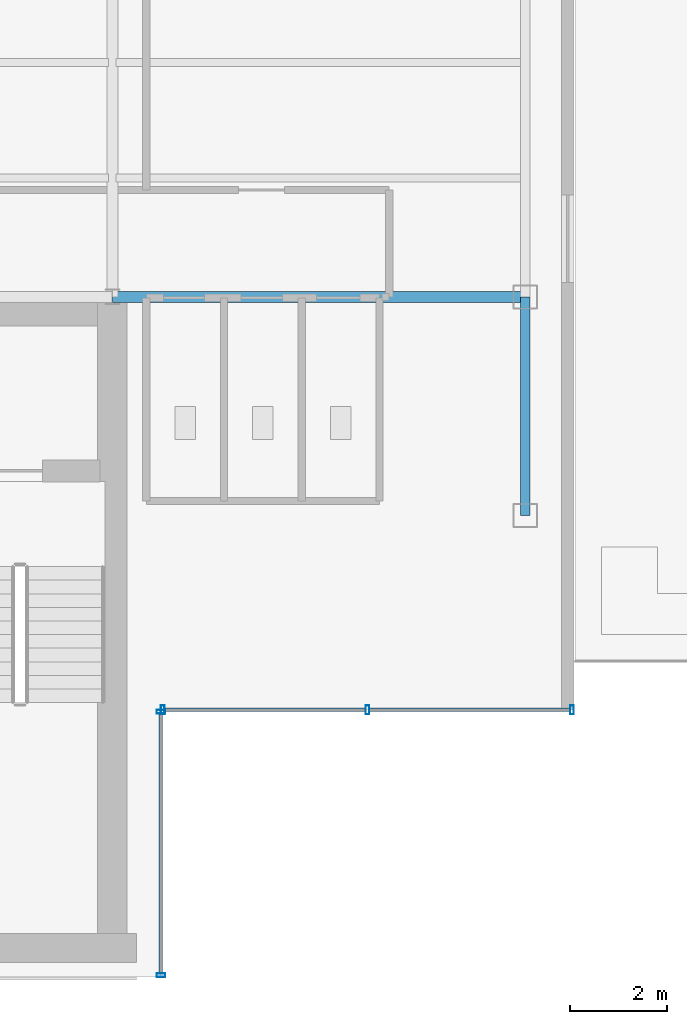
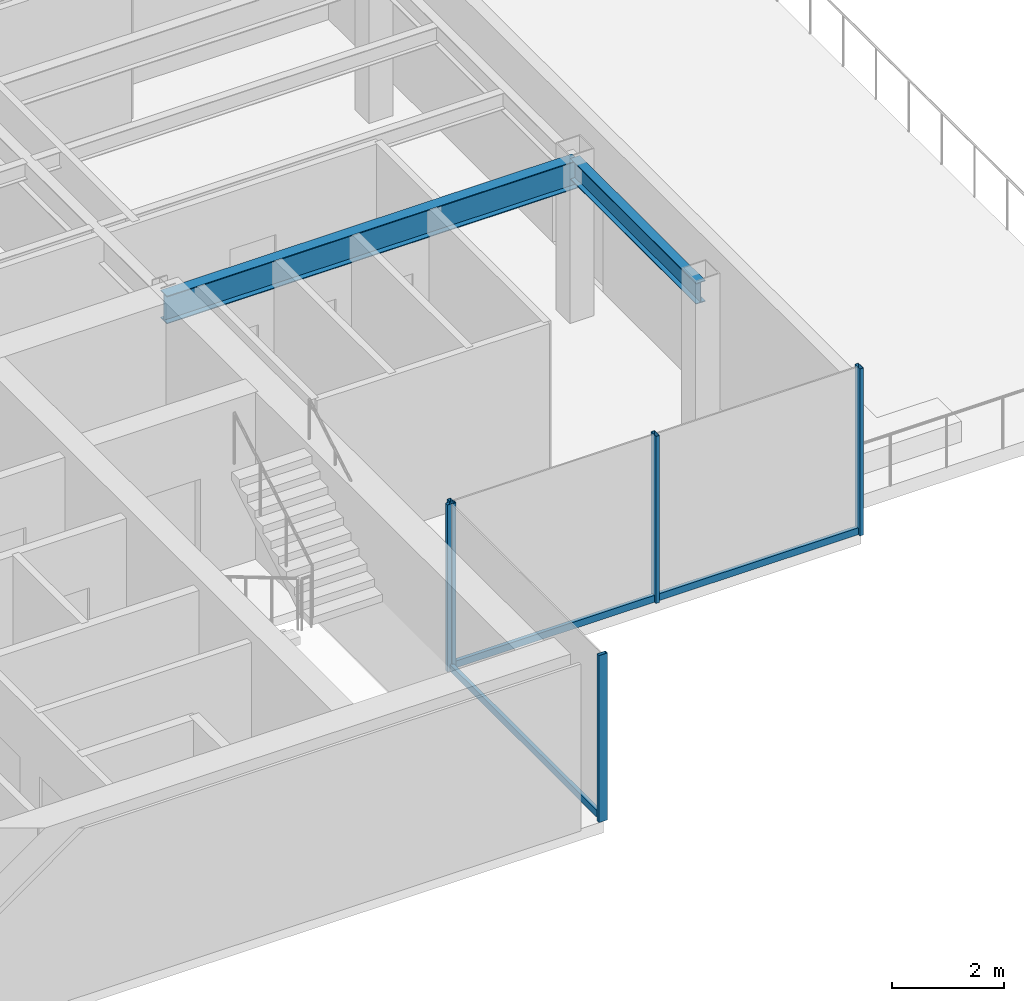
# One storey, part 9 of 21: 8 members, 2 beams, 2 elements without a shape of their own.
"""IFC4 building model written with IfcOpenShell, lengths in metres."""

from ifc_helpers import new_model, si_unit, derived_unit, direction, frame, origin, origin_2d, place, context, subcontext, project, spatial, hollow_rectangle, i_section, extrude, source, transform, mapped, material, material_profile, profile_set, type_object, element, aggregate, save


model = new_model("IFC4")

# Units and contexts
model_context = context("Model", 3, precision=1e-05, world=origin(), true_north=direction((0.0, 1.0)))
body_context = subcontext(model_context, "Body", "Model", "MODEL_VIEW")
ifc_project = project(units=[si_unit("LENGTHUNIT", "METRE"), si_unit("AREAUNIT", "SQUARE_METRE"), si_unit("VOLUMEUNIT", "CUBIC_METRE"), si_unit("PLANEANGLEUNIT", "RADIAN"), si_unit("MASSUNIT", "GRAM", prefix="KILO"), derived_unit("THERMALTRANSMITTANCEUNIT", [(si_unit("POWERUNIT", "WATT"), 1), (si_unit("LENGTHUNIT", "METRE"), -2), (si_unit("THERMODYNAMICTEMPERATUREUNIT", "KELVIN"), -1)])], contexts=[model_context])

# Site, building, storey
site_placement = place(None, origin())
site = spatial("IfcSite", under=ifc_project, at=site_placement, CompositionType="ELEMENT")
building_placement = place(site_placement, origin())
building = spatial("IfcBuilding", under=site, at=building_placement, Name="Skarnbrae Concourse Arena and Tower", CompositionType="ELEMENT")
storey_placement = place(building_placement, frame((0.0, 0.0, 188.60009765625)))
storey = spatial("IfcBuildingStorey", under=building, at=storey_placement, Name="L48", CompositionType="ELEMENT", Elevation=188.60009765625)

# Beams
ifc_material_1 = material(Name="Steel CSA G40.21 350W", Category="steel")
ifc_material_profile_1 = material_profile(ifc_material_1, i_section(OverallWidth=0.22802734375, OverallDepth=0.60791015625, WebThickness=0.01123046875, FlangeThickness=0.017333984375, at=origin_2d()), Name="W610X113")
ifc_profile_set_1 = profile_set([ifc_material_profile_1], Name="Steel CSA G40.21 350W")
beam_type_1 = type_object("IfcBeamType", Name="BM-GIRD-W610X113", PredefinedType="BEAM", material=ifc_profile_set_1)
shared_shape_1 = source(origin(), body_context, "Body", "SweptSolid", [
    extrude(i_section(OverallWidth=0.22802734375, OverallDepth=0.60791015625, WebThickness=0.01123046875, FlangeThickness=0.017333984375, at=origin_2d()), origin(), (0.0, 0.0, 1.0), 8.5),
])
beam_1_placement = place(storey_placement, frame((33.5, 14.0, 3.095947265625), z_axis=(1.0, 0.0, 0.0), x_axis=(0.0, 1.0, 0.0)))
element("IfcBeam", 1, at=beam_1_placement, inside=storey, type_object=beam_type_1, Name="L48 Primary E-W girder Y14.0-6", PredefinedType="BEAM", context=body_context, shape_type="MappedRepresentation", body=[
    mapped(shared_shape_1, transform((0.0, 0.0, 0.0))),
])
ifc_material_profile_2 = material_profile(ifc_material_1, i_section(OverallWidth=0.19091796875, OverallDepth=0.4599609375, WebThickness=0.010009765625, FlangeThickness=0.01611328125, at=origin_2d()), Name="W460X82")
ifc_profile_set_2 = profile_set([ifc_material_profile_2], Name="Steel CSA G40.21 350W")
beam_type_2 = type_object("IfcBeamType", Name="BM-SPAN-W460X82", PredefinedType="SPANDREL", material=ifc_profile_set_2)
shared_shape_2 = source(origin(), body_context, "Body", "SweptSolid", [
    extrude(i_section(OverallWidth=0.19091796875, OverallDepth=0.4599609375, WebThickness=0.010009765625, FlangeThickness=0.01611328125, at=origin_2d()), origin(), (0.0, 0.0, 1.0), 4.5),
])
beam_2_placement = place(storey_placement, frame((42.0, 9.5, 3.169921875), z_axis=(0.0, 1.0, 0.0), x_axis=(-1.0, 0.0, 0.0)))
element("IfcBeam", 2, at=beam_2_placement, inside=storey, type_object=beam_type_2, Name="L48 Perimeter spandrel X42.0-1", PredefinedType="SPANDREL", context=body_context, shape_type="MappedRepresentation", body=[
    mapped(shared_shape_2, transform((0.0, 0.0, 0.0))),
])

# Curtain wall, members
ifc_material_2 = material(Name="Bronze anodised aluminium 6063-T6", Category="aluminium")
curtain_wall_type = type_object("IfcCurtainWallType", Name="CW-SYS-05-HIGHZONE", PredefinedType="USERDEFINED", material=ifc_material_2)
curtain_wall_1_placement = place(storey_placement, origin())
curtain_wall_1 = element("IfcCurtainWall", 3, at=curtain_wall_1_placement, inside=storey, type_object=curtain_wall_type, Name="L48 Unitised curtain wall CW-L48-E02", ObjectType="UNITISED CURTAIN WALL", PredefinedType="USERDEFINED")
ifc_material_profile_3 = material_profile(ifc_material_2, hollow_rectangle(XDim=0.074951171875, YDim=0.179931640625, WallThickness=0.00390625, at=origin_2d()), Name="ALU-MULL-75X180")
ifc_profile_set_3 = profile_set([ifc_material_profile_3], Name="Bronze anodised aluminium 6063-T6")
member_type_1 = type_object("IfcMemberType", Name="CWM-CW-05", PredefinedType="MULLION", material=ifc_profile_set_3)
shared_shape_3 = source(origin(), body_context, "Body", "SweptSolid", [
    extrude(hollow_rectangle(XDim=0.074951171875, YDim=0.179931640625, WallThickness=0.00390625, at=origin_2d()), origin(), (0.0, 0.0, 1.0), 3.64990234375),
])
member_1_placement = place(storey_placement, frame((34.5, 0.03759765625, 0.0), z_axis=(0.0, 0.0, 1.0), x_axis=(0.0, 1.0, 0.0)))
member_1 = element("IfcMember", 4, at=member_1_placement, type_object=member_type_1, Name="CW-L48-E02 Mullion 1", PredefinedType="MULLION", context=body_context, shape_type="MappedRepresentation", body=[
    mapped(shared_shape_3, transform((0.0, 0.0, 0.0))),
])
member_2_placement = place(storey_placement, frame((34.5, 5.46240234375, 0.0), z_axis=(0.0, 0.0, 1.0), x_axis=(0.0, 1.0, 0.0)))
member_2 = element("IfcMember", 5, at=member_2_placement, type_object=member_type_1, Name="CW-L48-E02 Mullion 2", PredefinedType="MULLION", context=body_context, shape_type="MappedRepresentation", body=[
    mapped(shared_shape_3, transform((0.0, 0.0, 0.0))),
])

curtain_wall_2_placement = place(storey_placement, origin())
curtain_wall_2 = element("IfcCurtainWall", 6, at=curtain_wall_2_placement, inside=storey, type_object=curtain_wall_type, Name="L48 Unitised curtain wall CW-L48-E03", ObjectType="UNITISED CURTAIN WALL", PredefinedType="USERDEFINED")
member_3_placement = place(storey_placement, frame((34.53759765625, 5.5, 0.0), z_axis=(0.0, 0.0, 1.0), x_axis=(1.0, 0.0, 0.0)))
member_3 = element("IfcMember", 7, at=member_3_placement, type_object=member_type_1, Name="CW-L48-E03 Mullion 1", PredefinedType="MULLION", context=body_context, shape_type="MappedRepresentation", body=[
    mapped(shared_shape_3, transform((0.0, 0.0, 0.0))),
])
member_4_placement = place(storey_placement, frame((38.75, 5.5, 0.0), z_axis=(0.0, 0.0, 1.0), x_axis=(1.0, 0.0, 0.0)))
member_4 = element("IfcMember", 8, at=member_4_placement, type_object=member_type_1, Name="CW-L48-E03 Mullion 2", PredefinedType="MULLION", context=body_context, shape_type="MappedRepresentation", body=[
    mapped(shared_shape_3, transform((0.0, 0.0, 0.0))),
])
member_5_placement = place(storey_placement, frame((42.96240234375, 5.5, 0.0), z_axis=(0.0, 0.0, 1.0), x_axis=(1.0, 0.0, 0.0)))
member_5 = element("IfcMember", 9, at=member_5_placement, type_object=member_type_1, Name="CW-L48-E03 Mullion 3", PredefinedType="MULLION", context=body_context, shape_type="MappedRepresentation", body=[
    mapped(shared_shape_3, transform((0.0, 0.0, 0.0))),
])

# Member
ifc_material_profile_4 = material_profile(ifc_material_2, hollow_rectangle(XDim=0.074951171875, YDim=0.14990234375, WallThickness=0.00390625, at=origin_2d()), Name="ALU-TRAN-75X150")
ifc_profile_set_4 = profile_set([ifc_material_profile_4], Name="Bronze anodised aluminium 6063-T6")
member_type_2 = type_object("IfcMemberType", Name="CWT-CW-05", PredefinedType="USERDEFINED", material=ifc_profile_set_4)
shared_shape_4 = source(origin(), body_context, "Body", "SweptSolid", [
    extrude(hollow_rectangle(XDim=0.074951171875, YDim=0.14990234375, WallThickness=0.00390625, at=origin_2d()), origin(), (0.0, 0.0, 1.0), 5.35009765625),
])
member_6_placement = place(storey_placement, frame((34.5, 0.074951171875, 0.074951171875), z_axis=(0.0, 1.0, 0.0), x_axis=(-1.0, 0.0, 0.0)))
member_6 = element("IfcMember", 10, at=member_6_placement, type_object=member_type_2, Name="CW-L48-E02 Transom 1", ObjectType="TRANSOM", PredefinedType="USERDEFINED", context=body_context, shape_type="MappedRepresentation", body=[
    mapped(shared_shape_4, transform((0.0, 0.0, 0.0))),
])

aggregate(curtain_wall_1, [member_1, member_2, member_6])

shared_shape_5 = source(origin(), body_context, "Body", "SweptSolid", [
    extrude(hollow_rectangle(XDim=0.074951171875, YDim=0.14990234375, WallThickness=0.00390625, at=origin_2d()), origin(), (0.0, 0.0, 1.0), 4.137451171875),
])
member_7_placement = place(storey_placement, frame((34.574951171875, 5.5, 0.074951171875), z_axis=(1.0, 0.0, 0.0), x_axis=(0.0, 1.0, 0.0)))
member_7 = element("IfcMember", 11, at=member_7_placement, type_object=member_type_2, Name="CW-L48-E03 Transom 1", ObjectType="TRANSOM", PredefinedType="USERDEFINED", context=body_context, shape_type="MappedRepresentation", body=[
    mapped(shared_shape_5, transform((0.0, 0.0, 0.0))),
])

member_8_placement = place(storey_placement, frame((38.78759765625, 5.5, 0.074951171875), z_axis=(1.0, 0.0, 0.0), x_axis=(0.0, 1.0, 0.0)))
member_8 = element("IfcMember", 12, at=member_8_placement, type_object=member_type_2, Name="CW-L48-E03 Transom 2", ObjectType="TRANSOM", PredefinedType="USERDEFINED", context=body_context, shape_type="MappedRepresentation", body=[
    mapped(shared_shape_5, transform((0.0, 0.0, 0.0))),
])

aggregate(curtain_wall_2, [member_3, member_4, member_5, member_7, member_8])

save(model, "model.ifc")
